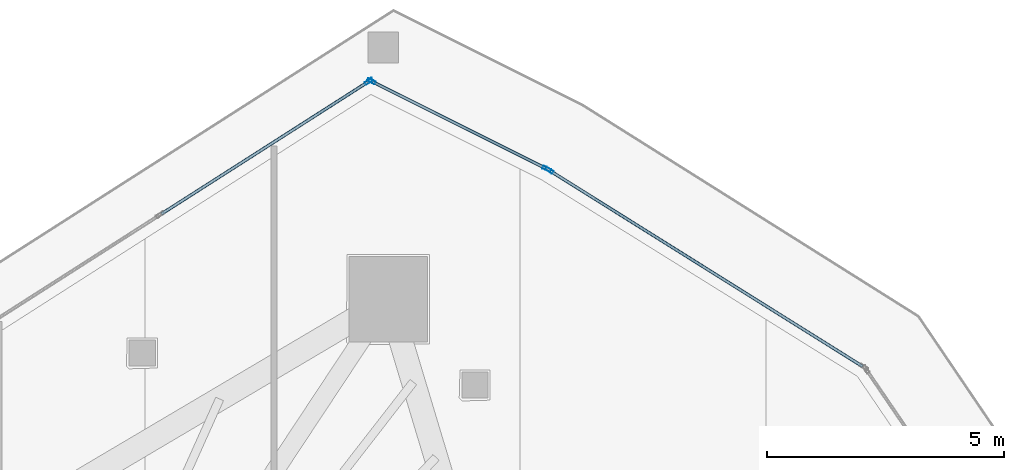
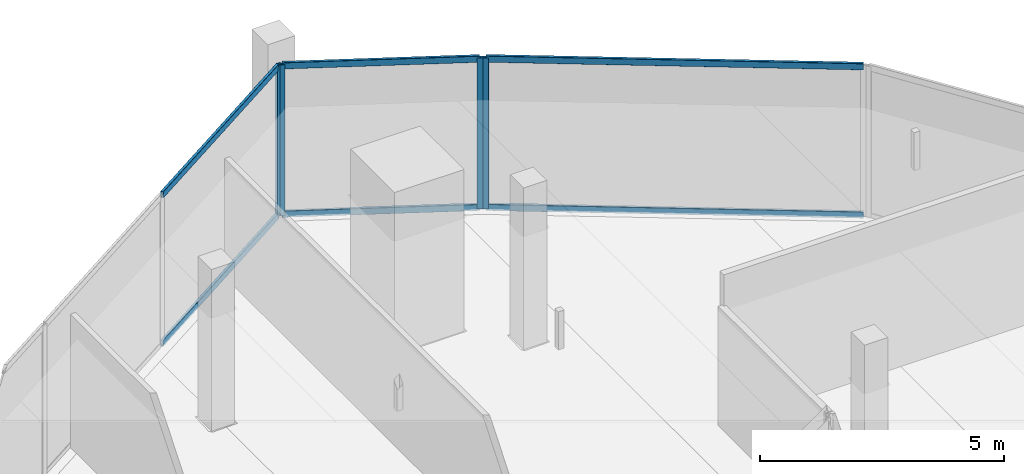
# One storey, part 20 of 33: 10 members, 3 elements without a shape of their own.
"""IFC4 building model written with IfcOpenShell, lengths in metres."""

from ifc_helpers import new_model, si_unit, direction, frame, origin, origin_2d, place, context, subcontext, project, spatial, hollow_rectangle, extrude, material, layer, layer_set, material_profile, profile_set, type_object, element, aggregate, save


model = new_model("IFC4")

# Units and contexts
model_context = context("Model", 3, precision=1e-05, world=origin(), true_north=direction((0.0, 1.0)))
body_context = subcontext(model_context, "Body", "Model", "MODEL_VIEW")
ifc_project = project(units=[si_unit("LENGTHUNIT", "METRE"), si_unit("AREAUNIT", "SQUARE_METRE"), si_unit("VOLUMEUNIT", "CUBIC_METRE"), si_unit("PLANEANGLEUNIT", "RADIAN"), si_unit("MASSUNIT", "GRAM", prefix="KILO")], contexts=[model_context])

# Site, building, storey
site_placement = place(None, origin())
site = spatial("IfcSite", under=ifc_project, at=site_placement, CompositionType="ELEMENT")
building_placement = place(site_placement, origin())
building = spatial("IfcBuilding", under=site, at=building_placement, Name="Qorvath Tower", CompositionType="ELEMENT")
storey_placement = place(building_placement, frame((0.0, 0.0, 237.449951171875)))
storey = spatial("IfcBuildingStorey", under=building, at=storey_placement, Name="L55", CompositionType="ELEMENT", Elevation=237.449951171875)

# Curtain wall, member
ifc_material_1 = material(Name="Anodised aluminium and triple low-E glass", Category="aluminium")
ifc_layer = layer(ifc_material_1, 0.179931640625)
ifc_layer_set = layer_set([ifc_layer], Name="CW-SYS-3")
curtain_wall_type = type_object("IfcCurtainWallType", Name="CW-SYS-3", PredefinedType="NOTDEFINED", material=ifc_layer_set)
curtain_wall_1_placement = place(storey_placement, origin())
curtain_wall_1 = element("IfcCurtainWall", 1, at=curtain_wall_1_placement, inside=storey, type_object=curtain_wall_type, Name="Curtain Wall CW-3 CW-T-L55-14.1", PredefinedType="NOTDEFINED")
ifc_material_2 = material(Name="Anodised aluminium 6063-T6", Category="aluminium")
ifc_material_profile_1 = material_profile(ifc_material_2, hollow_rectangle(XDim=0.06494140625, YDim=0.179931640625, WallThickness=0.00341796875, InnerFilletRadius=0.00341796875, OuterFilletRadius=0.007080078125, at=origin_2d()), Name="CWM 180x65")
ifc_profile_set_1 = profile_set([ifc_material_profile_1], Name="Anodised aluminium 6063-T6")
member_type_1 = type_object("IfcMemberType", Name="CWM-180", PredefinedType="MULLION", material=ifc_profile_set_1)
member_1_placement = place(storey_placement, frame((-13.482177734375, 24.33837890625, 0.0), z_axis=(0.0, 0.0, 1.0), x_axis=(-0.530497446671, -0.847686533499, 0.0)))
member_1 = element("IfcMember", 2, at=member_1_placement, type_object=member_type_1, Name="CW-3 mullion 2", PredefinedType="MULLION", context=body_context, shape_type="SweptSolid", body=[
    extrude(hollow_rectangle(XDim=0.06494140625, YDim=0.179931640625, WallThickness=0.00341796875, InnerFilletRadius=0.00341796875, OuterFilletRadius=0.007080078125, at=origin_2d()), origin(), (0.0, 0.0, 1.0), 3.780029296875),
])

# Curtain wall, members
curtain_wall_2_placement = place(storey_placement, origin())
curtain_wall_2 = element("IfcCurtainWall", 3, at=curtain_wall_2_placement, inside=storey, type_object=curtain_wall_type, Name="Curtain Wall CW-3 CW-T-L55-15.1", PredefinedType="NOTDEFINED")
member_2_placement = place(storey_placement, frame((-13.538818359375, 24.3701171875, 0.0), z_axis=(0.0, 0.0, 1.0), x_axis=(-0.447213595499, -0.894427191001, 0.0)))
member_2 = element("IfcMember", 4, at=member_2_placement, type_object=member_type_1, Name="CW-3 mullion 1", PredefinedType="MULLION", context=body_context, shape_type="SweptSolid", body=[
    extrude(hollow_rectangle(XDim=0.06494140625, YDim=0.179931640625, WallThickness=0.00341796875, InnerFilletRadius=0.00341796875, OuterFilletRadius=0.007080078125, at=origin_2d()), origin(), (0.0, 0.0, 1.0), 3.780029296875),
])
member_3_placement = place(storey_placement, frame((-17.227783203125, 26.214599609375, 0.0), z_axis=(0.0, 0.0, 1.0), x_axis=(-0.447213595499, -0.894427191001, 0.0)))
member_3 = element("IfcMember", 5, at=member_3_placement, type_object=member_type_1, Name="CW-3 mullion 2", PredefinedType="MULLION", context=body_context, shape_type="SweptSolid", body=[
    extrude(hollow_rectangle(XDim=0.06494140625, YDim=0.179931640625, WallThickness=0.00341796875, InnerFilletRadius=0.00341796875, OuterFilletRadius=0.007080078125, at=origin_2d()), origin(), (0.0, 0.0, 1.0), 3.780029296875),
])

# Curtain wall, member
curtain_wall_3_placement = place(storey_placement, origin())
curtain_wall_3 = element("IfcCurtainWall", 6, at=curtain_wall_3_placement, inside=storey, type_object=curtain_wall_type, Name="Curtain Wall CW-3 CW-T-L55-16.1", PredefinedType="NOTDEFINED")
member_4_placement = place(storey_placement, frame((-17.2841796875, 26.211669921875, 0.0), z_axis=(0.0, 0.0, 1.0), x_axis=(0.53852851579, -0.842607285561, 0.0)))
member_4 = element("IfcMember", 7, at=member_4_placement, type_object=member_type_1, Name="CW-3 mullion 1", PredefinedType="MULLION", context=body_context, shape_type="SweptSolid", body=[
    extrude(hollow_rectangle(XDim=0.06494140625, YDim=0.179931640625, WallThickness=0.00341796875, InnerFilletRadius=0.00341796875, OuterFilletRadius=0.007080078125, at=origin_2d()), origin(), (0.0, 0.0, 1.0), 3.780029296875),
])

# Member
ifc_material_3 = material(Name="Anodised aluminium 6063-T6", Category="aluminium")
ifc_material_profile_2 = material_profile(ifc_material_3, hollow_rectangle(XDim=0.06494140625, YDim=0.159912109375, WallThickness=0.00341796875, InnerFilletRadius=0.00341796875, OuterFilletRadius=0.007080078125, at=origin_2d()), Name="CWT 160x65")
ifc_profile_set_2 = profile_set([ifc_material_profile_2], Name="Anodised aluminium 6063-T6")
member_type_2 = type_object("IfcMemberType", Name="CWT-160", PredefinedType="USERDEFINED", material=ifc_profile_set_2)
member_5_placement = place(storey_placement, frame((-6.88671875, 20.210693359375, 0.032470703125), z_axis=(-0.847668883672, 0.530525648442, 0.0), x_axis=(-0.530525648442, -0.847668883672, 0.0)))
member_5 = element("IfcMember", 8, at=member_5_placement, type_object=member_type_2, Name="CW-3 transom 1.1", ObjectType="TRANSOM", PredefinedType="USERDEFINED", context=body_context, shape_type="SweptSolid", body=[
    extrude(hollow_rectangle(XDim=0.06494140625, YDim=0.159912109375, WallThickness=0.00341796875, InnerFilletRadius=0.00341796875, OuterFilletRadius=0.007080078125, at=origin_2d()), origin(), (0.0, 0.0, 1.0), 7.748046875),
])

member_6_placement = place(storey_placement, frame((-6.88671875, 20.210693359375, 3.74755859375), z_axis=(-0.847668883672, 0.530525648442, 0.0), x_axis=(-0.530525648442, -0.847668883672, 0.0)))
member_6 = element("IfcMember", 9, at=member_6_placement, type_object=member_type_2, Name="CW-3 transom 1.2", ObjectType="TRANSOM", PredefinedType="USERDEFINED", context=body_context, shape_type="SweptSolid", body=[
    extrude(hollow_rectangle(XDim=0.06494140625, YDim=0.159912109375, WallThickness=0.00341796875, InnerFilletRadius=0.00341796875, OuterFilletRadius=0.007080078125, at=origin_2d()), origin(), (0.0, 0.0, 1.0), 7.748046875),
])

aggregate(curtain_wall_1, [member_1, member_5, member_6])

member_7_placement = place(storey_placement, frame((-13.56787109375, 24.384765625, 0.032470703125), z_axis=(-0.894427191, 0.4472135955, 0.0), x_axis=(-0.4472135955, -0.894427191, 0.0)))
member_7 = element("IfcMember", 10, at=member_7_placement, type_object=member_type_2, Name="CW-3 transom 1.1", ObjectType="TRANSOM", PredefinedType="USERDEFINED", context=body_context, shape_type="SweptSolid", body=[
    extrude(hollow_rectangle(XDim=0.06494140625, YDim=0.159912109375, WallThickness=0.00341796875, InnerFilletRadius=0.00341796875, OuterFilletRadius=0.007080078125, at=origin_2d()), origin(), (0.0, 0.0, 1.0), 4.059326171875),
])

member_8_placement = place(storey_placement, frame((-13.56787109375, 24.384765625, 3.74755859375), z_axis=(-0.894427191, 0.4472135955, 0.0), x_axis=(-0.4472135955, -0.894427191, 0.0)))
member_8 = element("IfcMember", 11, at=member_8_placement, type_object=member_type_2, Name="CW-3 transom 1.2", ObjectType="TRANSOM", PredefinedType="USERDEFINED", context=body_context, shape_type="SweptSolid", body=[
    extrude(hollow_rectangle(XDim=0.06494140625, YDim=0.159912109375, WallThickness=0.00341796875, InnerFilletRadius=0.00341796875, OuterFilletRadius=0.007080078125, at=origin_2d()), origin(), (0.0, 0.0, 1.0), 4.059326171875),
])

aggregate(curtain_wall_2, [member_2, member_3, member_7, member_8])

member_9_placement = place(storey_placement, frame((-17.3115234375, 26.194091796875, 0.032470703125), z_axis=(-0.842615597711, -0.538515509985, 0.0), x_axis=(0.538515509985, -0.842615597711, 0.0)))
member_9 = element("IfcMember", 12, at=member_9_placement, type_object=member_type_2, Name="CW-3 transom 1.1", ObjectType="TRANSOM", PredefinedType="USERDEFINED", context=body_context, shape_type="SweptSolid", body=[
    extrude(hollow_rectangle(XDim=0.06494140625, YDim=0.159912109375, WallThickness=0.00341796875, InnerFilletRadius=0.00341796875, OuterFilletRadius=0.007080078125, at=origin_2d()), origin(), (0.0, 0.0, 1.0), 5.150146484375),
])

member_10_placement = place(storey_placement, frame((-17.3115234375, 26.194091796875, 3.74755859375), z_axis=(-0.842615597711, -0.538515509985, 0.0), x_axis=(0.538515509985, -0.842615597711, 0.0)))
member_10 = element("IfcMember", 13, at=member_10_placement, type_object=member_type_2, Name="CW-3 transom 1.2", ObjectType="TRANSOM", PredefinedType="USERDEFINED", context=body_context, shape_type="SweptSolid", body=[
    extrude(hollow_rectangle(XDim=0.06494140625, YDim=0.159912109375, WallThickness=0.00341796875, InnerFilletRadius=0.00341796875, OuterFilletRadius=0.007080078125, at=origin_2d()), origin(), (0.0, 0.0, 1.0), 5.150146484375),
])

aggregate(curtain_wall_3, [member_4, member_9, member_10])

save(model, "model.ifc")
